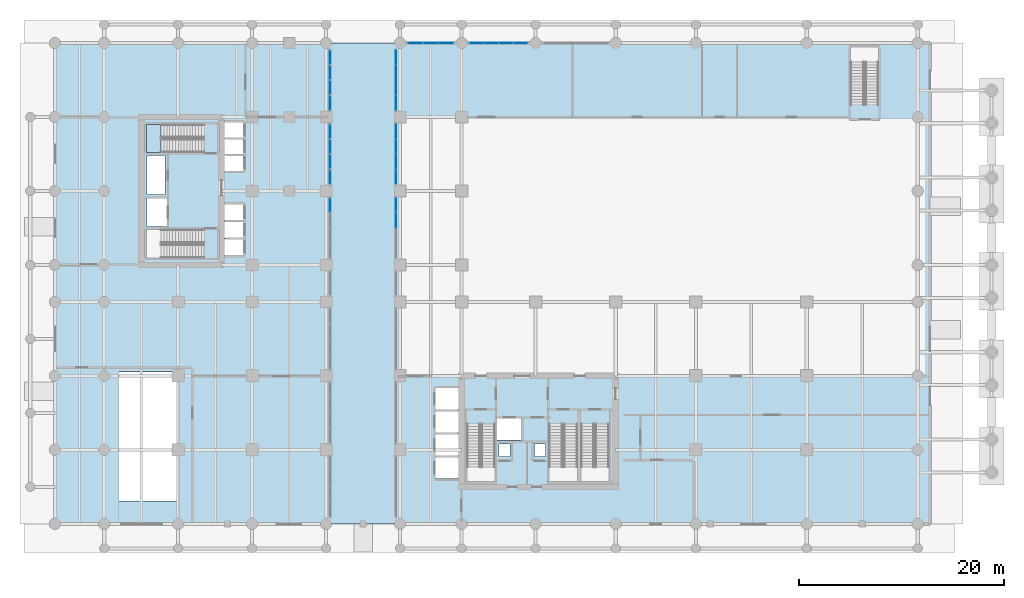
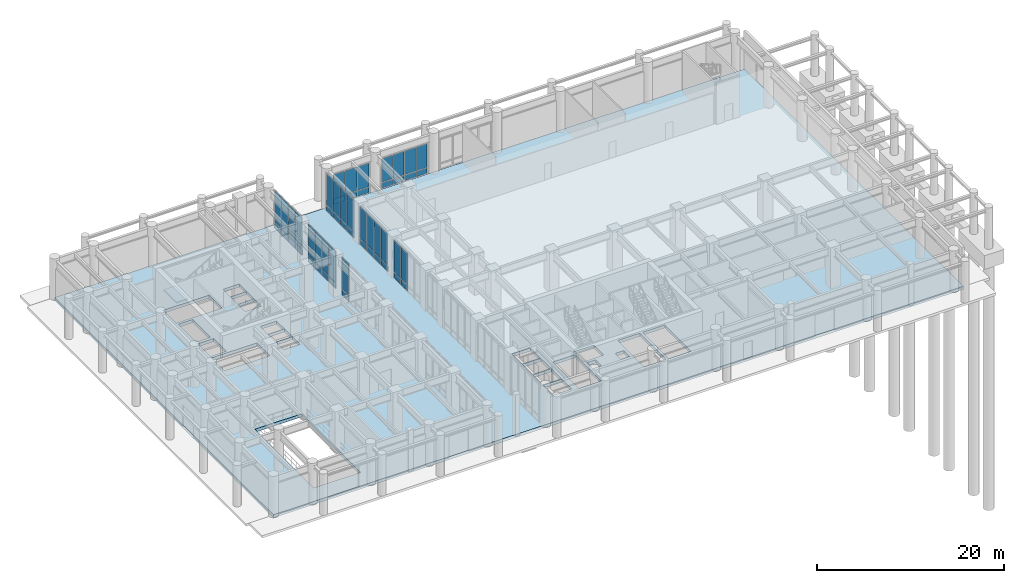
# One storey, part 12 of 23: 52 plates, 2 slabs, 9 elements without a shape of their own.
"""IFC4 building model written with IfcOpenShell, lengths in metres."""

from ifc_helpers import new_model, si_unit, derived_unit, direction, frame, origin, origin_2d, place, context, subcontext, project, spatial, polyline, rectangle, outline, extrude, source, transform, mapped, material, layer, layer_set, type_object, type_shapes, element, aggregate, save


model = new_model("IFC4")

# Units and contexts
model_context = context("Model", 3, precision=1e-05, world=origin(), true_north=direction((0.0, 1.0)))
body_context = subcontext(model_context, "Body", "Model", "MODEL_VIEW")
ifc_project = project(units=[si_unit("LENGTHUNIT", "METRE"), si_unit("AREAUNIT", "SQUARE_METRE"), si_unit("VOLUMEUNIT", "CUBIC_METRE"), si_unit("PLANEANGLEUNIT", "RADIAN"), si_unit("MASSUNIT", "GRAM", prefix="KILO"), si_unit("THERMODYNAMICTEMPERATUREUNIT", "KELVIN"), si_unit("POWERUNIT", "WATT"), derived_unit("THERMALTRANSMITTANCEUNIT", [(si_unit("POWERUNIT", "WATT"), 1), (si_unit("AREAUNIT", "SQUARE_METRE"), -1), (si_unit("THERMODYNAMICTEMPERATUREUNIT", "KELVIN"), -1)])], contexts=[model_context])

# Site, building, storey
site_placement = place(None, origin())
site = spatial("IfcSite", under=ifc_project, at=site_placement, CompositionType="ELEMENT")
building_placement = place(site_placement, origin())
building = spatial("IfcBuilding", under=site, at=building_placement, Name="Zahravan Archway Hotel and Residences", CompositionType="ELEMENT")
storey_placement = place(building_placement, origin())
storey = spatial("IfcBuildingStorey", under=building, at=storey_placement, Name="L00", CompositionType="ELEMENT", Elevation=0.0)

# Slab
ifc_material_1 = material(Name="Concrete C50/60", Category="concrete")
ifc_layer_1 = layer(ifc_material_1, 0.39990234375, Name="Concrete C50/60", Category="concrete")
ifc_layer_set_1 = layer_set([ifc_layer_1], Name="Concrete C50/60")
slab_type_1 = type_object("IfcSlabType", Name="SLB-FLR-400", PredefinedType="FLOOR", material=ifc_layer_set_1)
slab_1_placement = place(storey_placement, frame((0.0, 0.0, -0.39990234375)))
element("IfcSlab", 1, at=slab_1_placement, inside=storey, type_object=slab_type_1, Name="L00 Floor Slab MAIN", PredefinedType="FLOOR", context=body_context, shape_type="SweptSolid", body=[
    extrude(outline(polyline([(-4.800048828125, 0.0), (80.39990234375, 0.0), (80.39990234375, 46.800048828125), (-4.800048828125, 46.800048828125), (-4.800048828125, 0.0)]), holes=[polyline([(35.300048828125, 9.72998046875), (35.300048828125, 4.10009765625), (38.0400390625, 4.10009765625), (38.0400390625, 9.72998046875), (35.300048828125, 9.72998046875)]), polyline([(43.320068359375, 9.72998046875), (43.320068359375, 4.10009765625), (46.06005859375, 4.10009765625), (46.06005859375, 9.72998046875), (43.320068359375, 9.72998046875)]), polyline([(46.39990234375, 9.72998046875), (46.39990234375, 4.10009765625), (49.139892578125, 4.10009765625), (49.139892578125, 9.72998046875), (46.39990234375, 9.72998046875)]), polyline([(9.72998046875, 28.639892578125), (4.10009765625, 28.639892578125), (4.10009765625, 25.89990234375), (9.72998046875, 25.89990234375), (9.72998046875, 28.639892578125)]), polyline([(9.72998046875, 38.89990234375), (4.10009765625, 38.89990234375), (4.10009765625, 36.159912109375), (9.72998046875, 36.159912109375), (9.72998046875, 38.89990234375)]), polyline([(38.179931640625, 8.14990234375), (40.699951171875, 8.14990234375), (40.699951171875, 10.25), (38.179931640625, 10.25), (38.179931640625, 8.14990234375)]), polyline([(4.14990234375, 28.949951171875), (6.10009765625, 28.949951171875), (6.10009765625, 31.64990234375), (4.14990234375, 31.64990234375), (4.14990234375, 28.949951171875)]), polyline([(11.550048828125, 26.14990234375), (13.550048828125, 26.14990234375), (13.550048828125, 27.75), (11.550048828125, 27.75), (11.550048828125, 26.14990234375)]), polyline([(11.550048828125, 27.830078125), (13.550048828125, 27.830078125), (13.550048828125, 29.429931640625), (11.550048828125, 29.429931640625), (11.550048828125, 27.830078125)]), polyline([(11.550048828125, 29.510009765625), (13.550048828125, 29.510009765625), (13.550048828125, 31.110107421875), (11.550048828125, 31.110107421875), (11.550048828125, 29.510009765625)]), polyline([(11.550048828125, 34.35009765625), (13.550048828125, 34.35009765625), (13.550048828125, 35.889892578125), (11.550048828125, 35.889892578125), (11.550048828125, 34.35009765625)]), polyline([(11.550048828125, 35.949951171875), (13.550048828125, 35.949951171875), (13.550048828125, 37.489990234375), (11.550048828125, 37.489990234375), (11.550048828125, 35.949951171875)]), polyline([(11.550048828125, 37.550048828125), (13.550048828125, 37.550048828125), (13.550048828125, 39.090087890625), (11.550048828125, 39.090087890625), (11.550048828125, 37.550048828125)]), polyline([(32.25, 4.39990234375), (34.550048828125, 4.39990234375), (34.550048828125, 6.47998046875), (32.25, 6.47998046875), (32.25, 4.39990234375)]), polyline([(32.25, 6.639892578125), (34.550048828125, 6.639892578125), (34.550048828125, 8.719970703125), (32.25, 8.719970703125), (32.25, 6.639892578125)]), polyline([(32.25, 8.8798828125), (34.550048828125, 8.8798828125), (34.550048828125, 10.9599609375), (32.25, 10.9599609375), (32.25, 8.8798828125)]), polyline([(32.25, 11.1201171875), (34.550048828125, 11.1201171875), (34.550048828125, 13.199951171875), (32.25, 13.199951171875), (32.25, 11.1201171875)]), polyline([(1.449951171875, 2.199951171875), (7.25, 2.199951171875), (7.25, 14.800048828125), (1.449951171875, 14.800048828125), (1.449951171875, 2.199951171875)]), polyline([(38.419921875, 6.56005859375), (39.5, 6.56005859375), (39.5, 7.780029296875), (38.419921875, 7.780029296875), (38.419921875, 6.56005859375)]), polyline([(41.89990234375, 6.56005859375), (42.9599609375, 6.56005859375), (42.9599609375, 7.780029296875), (41.89990234375, 7.780029296875), (41.89990234375, 6.56005859375)]), polyline([(4.179931640625, 32.050048828125), (5.93994140625, 32.050048828125), (5.93994140625, 35.840087890625), (4.179931640625, 35.840087890625), (4.179931640625, 32.050048828125)])]), origin(), (0.0, 0.0, 1.0), 0.39990234375),
])

# Stair, slab
stair_type = type_object("IfcStairType", Name="STR-CORE-1300", PredefinedType="HALF_TURN_STAIR", material=ifc_material_1)
stair_placement = place(storey_placement, origin())
stair = element("IfcStair", 2, at=stair_placement, inside=storey, type_object=stair_type, Name="L00 Core B Exit Stair 2", PredefinedType="HALF_TURN_STAIR")
ifc_layer_2 = layer(ifc_material_1, 0.199951171875, Name="Concrete C50/60", Category="concrete")
ifc_layer_set_2 = layer_set([ifc_layer_2], Name="Concrete C50/60")
slab_type_2 = type_object("IfcSlabType", Name="SLB-LND-200", PredefinedType="LANDING", material=ifc_layer_set_2)
slab_2_placement = place(storey_placement, frame((0.0, 0.0, 2.5)))
slab_2 = element("IfcSlab", 3, at=slab_2_placement, type_object=slab_type_2, Name="ST-B2 landing 1", PredefinedType="LANDING", context=body_context, shape_type="SweptSolid", body=[
    extrude(outline(polyline([(5.530029296875, 38.89990234375), (4.10009765625, 38.89990234375), (4.10009765625, 36.159912109375), (5.530029296875, 36.159912109375), (5.530029296875, 38.89990234375)])), origin(), (0.0, 0.0, 1.0), 0.199951171875),
])
aggregate(stair, [slab_2])

# Curtain wall, plates
ifc_material_2 = material(Name="Bronze-Anodized Unitised Aluminium & Low-E Glass", Category="aluminium")
ifc_layer_3 = layer(ifc_material_2, 0.179931640625, Name="Bronze-Anodized Unitised Aluminium & Low-E Glass", Category="aluminium")
ifc_layer_set_3 = layer_set([ifc_layer_3], Name="Bronze-Anodized Unitised Aluminium & Low-E Glass")
curtain_wall_type = type_object("IfcCurtainWallType", Name="CW-POD-ARCH", PredefinedType="NOTDEFINED", material=ifc_layer_set_3)
curtain_wall_1_placement = place(storey_placement, origin())
curtain_wall_1 = element("IfcCurtainWall", 4, at=curtain_wall_1_placement, inside=storey, type_object=curtain_wall_type, Name="L00 Curtain Wall CW-POD-L00-1", PredefinedType="NOTDEFINED")
ifc_material_3 = material(Name="Insulated Terracotta Spandrel Panel", Category="masonry")
ifc_layer_4 = layer(ifc_material_3, 0.0400390625, Name="Insulated Terracotta Spandrel Panel", Category="masonry")
ifc_layer_set_4 = layer_set([ifc_layer_4], Name="Insulated Terracotta Spandrel Panel")
plate_type_1 = type_object("IfcPlateType", Name="CWP-SPN-40", PredefinedType="SHEET", material=ifc_layer_set_4)
shared_shape_1 = source(origin(), body_context, "Body", "SweptSolid", [
    extrude(rectangle(XDim=1.413330078125, YDim=0.0400390625, at=origin_2d()), origin(), (0.0, 0.0, 1.0), 0.7099609375),
])
type_shapes(plate_type_1, [shared_shape_1])
plate_1_placement = place(storey_placement, frame((30.306640625, 46.800048828125, 0.10009765625), z_axis=(0.0, 0.0, 1.0), x_axis=(1.0, 0.0, 0.0)))
plate_1 = element("IfcPlate", 5, at=plate_1_placement, type_object=plate_type_1, Name="CW-POD-L00-1 Spandrel Panel 0", PredefinedType="SHEET", context=body_context, shape_type="MappedRepresentation", body=[
    mapped(shared_shape_1, transform((0.0, 0.0, 0.0), scale=1.0)),
])
plate_2_placement = place(storey_placement, frame((31.800048828125, 46.800048828125, 0.10009765625), z_axis=(0.0, 0.0, 1.0), x_axis=(1.0, 0.0, 0.0)))
plate_2 = element("IfcPlate", 6, at=plate_2_placement, type_object=plate_type_1, Name="CW-POD-L00-1 Spandrel Panel 1", PredefinedType="SHEET", context=body_context, shape_type="MappedRepresentation", body=[
    mapped(shared_shape_1, transform((0.0, 0.0, 0.0), scale=1.0)),
])
plate_3_placement = place(storey_placement, frame((33.29345703125, 46.800048828125, 0.10009765625), z_axis=(0.0, 0.0, 1.0), x_axis=(1.0, 0.0, 0.0)))
plate_3 = element("IfcPlate", 7, at=plate_3_placement, type_object=plate_type_1, Name="CW-POD-L00-1 Spandrel Panel 2", PredefinedType="SHEET", context=body_context, shape_type="MappedRepresentation", body=[
    mapped(shared_shape_1, transform((0.0, 0.0, 0.0), scale=1.0)),
])
ifc_material_4 = material(Name="Double-Silver Low-E Insulated Vision Glass", Category="glass")
ifc_layer_5 = layer(ifc_material_4, 0.028076171875, Name="Double-Silver Low-E Insulated Vision Glass", Category="glass")
ifc_layer_set_5 = layer_set([ifc_layer_5], Name="Double-Silver Low-E Insulated Vision Glass")
plate_type_2 = type_object("IfcPlateType", Name="CWP-GLZ-28", PredefinedType="CURTAIN_PANEL", material=ifc_layer_set_5)
shared_shape_2 = source(origin(), body_context, "Body", "SweptSolid", [
    extrude(rectangle(XDim=1.413330078125, YDim=0.028076171875, at=origin_2d()), origin(), (0.0, 0.0, 1.0), 3.094970703125),
])
type_shapes(plate_type_2, [shared_shape_2])
plate_4_placement = place(storey_placement, frame((30.306640625, 46.800048828125, 0.89013671875), z_axis=(0.0, 0.0, 1.0), x_axis=(1.0, 0.0, 0.0)))
plate_4 = element("IfcPlate", 8, at=plate_4_placement, type_object=plate_type_2, Name="CW-POD-L00-1 Low-E Vision Panel 0", PredefinedType="CURTAIN_PANEL", context=body_context, shape_type="MappedRepresentation", body=[
    mapped(shared_shape_2, transform((0.0, 0.0, 0.0), scale=1.0)),
])
plate_5_placement = place(storey_placement, frame((31.800048828125, 46.800048828125, 0.89013671875), z_axis=(0.0, 0.0, 1.0), x_axis=(1.0, 0.0, 0.0)))
plate_5 = element("IfcPlate", 9, at=plate_5_placement, type_object=plate_type_2, Name="CW-POD-L00-1 Low-E Vision Panel 1", PredefinedType="CURTAIN_PANEL", context=body_context, shape_type="MappedRepresentation", body=[
    mapped(shared_shape_2, transform((0.0, 0.0, 0.0), scale=1.0)),
])
plate_6_placement = place(storey_placement, frame((33.29345703125, 46.800048828125, 0.89013671875), z_axis=(0.0, 0.0, 1.0), x_axis=(1.0, 0.0, 0.0)))
plate_6 = element("IfcPlate", 10, at=plate_6_placement, type_object=plate_type_2, Name="CW-POD-L00-1 Low-E Vision Panel 2", PredefinedType="CURTAIN_PANEL", context=body_context, shape_type="MappedRepresentation", body=[
    mapped(shared_shape_2, transform((0.0, 0.0, 0.0), scale=1.0)),
])
aggregate(curtain_wall_1, [plate_1, plate_4, plate_2, plate_5, plate_3, plate_6])

curtain_wall_2_placement = place(storey_placement, origin())
curtain_wall_2 = element("IfcCurtainWall", 11, at=curtain_wall_2_placement, inside=storey, type_object=curtain_wall_type, Name="L00 Curtain Wall CW-POD-L00-2", PredefinedType="NOTDEFINED")
shared_shape_3 = source(origin(), body_context, "Body", "SweptSolid", [
    extrude(rectangle(XDim=1.340087890625, YDim=0.0400390625, at=origin_2d()), origin(), (0.0, 0.0, 1.0), 0.7099609375),
])
plate_7_placement = place(storey_placement, frame((36.27001953125, 46.800048828125, 0.10009765625), z_axis=(0.0, 0.0, 1.0), x_axis=(1.0, 0.0, 0.0)))
plate_7 = element("IfcPlate", 12, at=plate_7_placement, type_object=plate_type_1, Name="CW-POD-L00-2 Spandrel Panel 0", PredefinedType="SHEET", context=body_context, shape_type="MappedRepresentation", body=[
    mapped(shared_shape_3, transform((0.0, 0.0, 0.0), scale=1.0)),
])
plate_8_placement = place(storey_placement, frame((37.68994140625, 46.800048828125, 0.10009765625), z_axis=(0.0, 0.0, 1.0), x_axis=(1.0, 0.0, 0.0)))
plate_8 = element("IfcPlate", 13, at=plate_8_placement, type_object=plate_type_1, Name="CW-POD-L00-2 Spandrel Panel 1", PredefinedType="SHEET", context=body_context, shape_type="MappedRepresentation", body=[
    mapped(shared_shape_3, transform((0.0, 0.0, 0.0), scale=1.0)),
])
plate_9_placement = place(storey_placement, frame((39.110107421875, 46.800048828125, 0.10009765625), z_axis=(0.0, 0.0, 1.0), x_axis=(1.0, 0.0, 0.0)))
plate_9 = element("IfcPlate", 14, at=plate_9_placement, type_object=plate_type_1, Name="CW-POD-L00-2 Spandrel Panel 2", PredefinedType="SHEET", context=body_context, shape_type="MappedRepresentation", body=[
    mapped(shared_shape_3, transform((0.0, 0.0, 0.0), scale=1.0)),
])
plate_10_placement = place(storey_placement, frame((40.530029296875, 46.800048828125, 0.10009765625), z_axis=(0.0, 0.0, 1.0), x_axis=(1.0, 0.0, 0.0)))
plate_10 = element("IfcPlate", 15, at=plate_10_placement, type_object=plate_type_1, Name="CW-POD-L00-2 Spandrel Panel 3", PredefinedType="SHEET", context=body_context, shape_type="MappedRepresentation", body=[
    mapped(shared_shape_3, transform((0.0, 0.0, 0.0), scale=1.0)),
])
shared_shape_4 = source(origin(), body_context, "Body", "SweptSolid", [
    extrude(rectangle(XDim=1.340087890625, YDim=0.028076171875, at=origin_2d()), origin(), (0.0, 0.0, 1.0), 3.094970703125),
])
plate_11_placement = place(storey_placement, frame((36.27001953125, 46.800048828125, 0.89013671875), z_axis=(0.0, 0.0, 1.0), x_axis=(1.0, 0.0, 0.0)))
plate_11 = element("IfcPlate", 16, at=plate_11_placement, type_object=plate_type_2, Name="CW-POD-L00-2 Low-E Vision Panel 0", PredefinedType="CURTAIN_PANEL", context=body_context, shape_type="MappedRepresentation", body=[
    mapped(shared_shape_4, transform((0.0, 0.0, 0.0), scale=1.0)),
])
plate_12_placement = place(storey_placement, frame((37.68994140625, 46.800048828125, 0.89013671875), z_axis=(0.0, 0.0, 1.0), x_axis=(1.0, 0.0, 0.0)))
plate_12 = element("IfcPlate", 17, at=plate_12_placement, type_object=plate_type_2, Name="CW-POD-L00-2 Low-E Vision Panel 1", PredefinedType="CURTAIN_PANEL", context=body_context, shape_type="MappedRepresentation", body=[
    mapped(shared_shape_4, transform((0.0, 0.0, 0.0), scale=1.0)),
])
plate_13_placement = place(storey_placement, frame((39.110107421875, 46.800048828125, 0.89013671875), z_axis=(0.0, 0.0, 1.0), x_axis=(1.0, 0.0, 0.0)))
plate_13 = element("IfcPlate", 18, at=plate_13_placement, type_object=plate_type_2, Name="CW-POD-L00-2 Low-E Vision Panel 2", PredefinedType="CURTAIN_PANEL", context=body_context, shape_type="MappedRepresentation", body=[
    mapped(shared_shape_4, transform((0.0, 0.0, 0.0), scale=1.0)),
])
plate_14_placement = place(storey_placement, frame((40.530029296875, 46.800048828125, 0.89013671875), z_axis=(0.0, 0.0, 1.0), x_axis=(1.0, 0.0, 0.0)))
plate_14 = element("IfcPlate", 19, at=plate_14_placement, type_object=plate_type_2, Name="CW-POD-L00-2 Low-E Vision Panel 3", PredefinedType="CURTAIN_PANEL", context=body_context, shape_type="MappedRepresentation", body=[
    mapped(shared_shape_4, transform((0.0, 0.0, 0.0), scale=1.0)),
])
aggregate(curtain_wall_2, [plate_7, plate_11, plate_8, plate_12, plate_9, plate_13, plate_10, plate_14])

# Curtain wall, plate
curtain_wall_3_placement = place(storey_placement, origin())
curtain_wall_3 = element("IfcCurtainWall", 20, at=curtain_wall_3_placement, inside=storey, type_object=curtain_wall_type, Name="L00 Curtain Wall CW-PORTW-L00-5", PredefinedType="NOTDEFINED")
shared_shape_5 = source(origin(), body_context, "Body", "SweptSolid", [
    extrude(rectangle(XDim=1.3974609375, YDim=0.0400390625, at=origin_2d()), origin(), (0.0, 0.0, 1.0), 0.7099609375),
])
plate_15_placement = place(storey_placement, frame((22.0, 31.01611328125, 0.10009765625), z_axis=(0.0, 0.0, 1.0), x_axis=(0.0, 1.0, 0.0)))
plate_15 = element("IfcPlate", 21, at=plate_15_placement, type_object=plate_type_1, Name="CW-PORTW-L00-5 Spandrel Panel 3", PredefinedType="SHEET", context=body_context, shape_type="MappedRepresentation", body=[
    mapped(shared_shape_5, transform((0.0, 0.0, 0.0), scale=1.0)),
])

# Curtain wall, plates
curtain_wall_4_placement = place(storey_placement, origin())
curtain_wall_4 = element("IfcCurtainWall", 22, at=curtain_wall_4_placement, inside=storey, type_object=curtain_wall_type, Name="L00 Curtain Wall CW-PORTW-L00-6", PredefinedType="NOTDEFINED")
plate_16_placement = place(storey_placement, frame((22.0, 33.783935546875, 0.10009765625), z_axis=(0.0, 0.0, 1.0), x_axis=(0.0, 1.0, 0.0)))
plate_16 = element("IfcPlate", 23, at=plate_16_placement, type_object=plate_type_1, Name="CW-PORTW-L00-6 Spandrel Panel 0", PredefinedType="SHEET", context=body_context, shape_type="MappedRepresentation", body=[
    mapped(shared_shape_5, transform((0.0, 0.0, 0.0), scale=1.0)),
])
plate_17_placement = place(storey_placement, frame((22.0, 35.26123046875, 0.10009765625), z_axis=(0.0, 0.0, 1.0), x_axis=(0.0, 1.0, 0.0)))
plate_17 = element("IfcPlate", 24, at=plate_17_placement, type_object=plate_type_1, Name="CW-PORTW-L00-6 Spandrel Panel 1", PredefinedType="SHEET", context=body_context, shape_type="MappedRepresentation", body=[
    mapped(shared_shape_5, transform((0.0, 0.0, 0.0), scale=1.0)),
])
plate_18_placement = place(storey_placement, frame((22.0, 36.73876953125, 0.10009765625), z_axis=(0.0, 0.0, 1.0), x_axis=(0.0, 1.0, 0.0)))
plate_18 = element("IfcPlate", 25, at=plate_18_placement, type_object=plate_type_1, Name="CW-PORTW-L00-6 Spandrel Panel 2", PredefinedType="SHEET", context=body_context, shape_type="MappedRepresentation", body=[
    mapped(shared_shape_5, transform((0.0, 0.0, 0.0), scale=1.0)),
])
plate_19_placement = place(storey_placement, frame((22.0, 38.216064453125, 0.10009765625), z_axis=(0.0, 0.0, 1.0), x_axis=(0.0, 1.0, 0.0)))
plate_19 = element("IfcPlate", 26, at=plate_19_placement, type_object=plate_type_1, Name="CW-PORTW-L00-6 Spandrel Panel 3", PredefinedType="SHEET", context=body_context, shape_type="MappedRepresentation", body=[
    mapped(shared_shape_5, transform((0.0, 0.0, 0.0), scale=1.0)),
])

curtain_wall_5_placement = place(storey_placement, origin())
curtain_wall_5 = element("IfcCurtainWall", 27, at=curtain_wall_5_placement, inside=storey, type_object=curtain_wall_type, Name="L00 Curtain Wall CW-PORTW-L00-7", PredefinedType="NOTDEFINED")
plate_20_placement = place(storey_placement, frame((22.0, 40.98388671875, 0.10009765625), z_axis=(0.0, 0.0, 1.0), x_axis=(0.0, 1.0, 0.0)))
plate_20 = element("IfcPlate", 28, at=plate_20_placement, type_object=plate_type_1, Name="CW-PORTW-L00-7 Spandrel Panel 0", PredefinedType="SHEET", context=body_context, shape_type="MappedRepresentation", body=[
    mapped(shared_shape_5, transform((0.0, 0.0, 0.0), scale=1.0)),
])
plate_21_placement = place(storey_placement, frame((22.0, 42.461181640625, 0.10009765625), z_axis=(0.0, 0.0, 1.0), x_axis=(0.0, 1.0, 0.0)))
plate_21 = element("IfcPlate", 29, at=plate_21_placement, type_object=plate_type_1, Name="CW-PORTW-L00-7 Spandrel Panel 1", PredefinedType="SHEET", context=body_context, shape_type="MappedRepresentation", body=[
    mapped(shared_shape_5, transform((0.0, 0.0, 0.0), scale=1.0)),
])
plate_22_placement = place(storey_placement, frame((22.0, 43.938720703125, 0.10009765625), z_axis=(0.0, 0.0, 1.0), x_axis=(0.0, 1.0, 0.0)))
plate_22 = element("IfcPlate", 30, at=plate_22_placement, type_object=plate_type_1, Name="CW-PORTW-L00-7 Spandrel Panel 2", PredefinedType="SHEET", context=body_context, shape_type="MappedRepresentation", body=[
    mapped(shared_shape_5, transform((0.0, 0.0, 0.0), scale=1.0)),
])
plate_23_placement = place(storey_placement, frame((22.0, 45.416015625, 0.10009765625), z_axis=(0.0, 0.0, 1.0), x_axis=(0.0, 1.0, 0.0)))
plate_23 = element("IfcPlate", 31, at=plate_23_placement, type_object=plate_type_1, Name="CW-PORTW-L00-7 Spandrel Panel 3", PredefinedType="SHEET", context=body_context, shape_type="MappedRepresentation", body=[
    mapped(shared_shape_5, transform((0.0, 0.0, 0.0), scale=1.0)),
])

curtain_wall_6_placement = place(storey_placement, origin())
curtain_wall_6 = element("IfcCurtainWall", 32, at=curtain_wall_6_placement, inside=storey, type_object=curtain_wall_type, Name="L00 Curtain Wall CW-PORTE-L00-5", PredefinedType="NOTDEFINED")
plate_24_placement = place(storey_placement, frame((28.39990234375, 29.538818359375, 0.10009765625), z_axis=(0.0, 0.0, 1.0), x_axis=(0.0, 1.0, 0.0)))
plate_24 = element("IfcPlate", 33, at=plate_24_placement, type_object=plate_type_1, Name="CW-PORTE-L00-5 Spandrel Panel 2", PredefinedType="SHEET", context=body_context, shape_type="MappedRepresentation", body=[
    mapped(shared_shape_5, transform((0.0, 0.0, 0.0), scale=1.0)),
])
plate_25_placement = place(storey_placement, frame((28.39990234375, 31.01611328125, 0.10009765625), z_axis=(0.0, 0.0, 1.0), x_axis=(0.0, 1.0, 0.0)))
plate_25 = element("IfcPlate", 34, at=plate_25_placement, type_object=plate_type_1, Name="CW-PORTE-L00-5 Spandrel Panel 3", PredefinedType="SHEET", context=body_context, shape_type="MappedRepresentation", body=[
    mapped(shared_shape_5, transform((0.0, 0.0, 0.0), scale=1.0)),
])

curtain_wall_7_placement = place(storey_placement, origin())
curtain_wall_7 = element("IfcCurtainWall", 35, at=curtain_wall_7_placement, inside=storey, type_object=curtain_wall_type, Name="L00 Curtain Wall CW-PORTE-L00-6", PredefinedType="NOTDEFINED")
plate_26_placement = place(storey_placement, frame((28.39990234375, 33.783935546875, 0.10009765625), z_axis=(0.0, 0.0, 1.0), x_axis=(0.0, 1.0, 0.0)))
plate_26 = element("IfcPlate", 36, at=plate_26_placement, type_object=plate_type_1, Name="CW-PORTE-L00-6 Spandrel Panel 0", PredefinedType="SHEET", context=body_context, shape_type="MappedRepresentation", body=[
    mapped(shared_shape_5, transform((0.0, 0.0, 0.0), scale=1.0)),
])
plate_27_placement = place(storey_placement, frame((28.39990234375, 35.26123046875, 0.10009765625), z_axis=(0.0, 0.0, 1.0), x_axis=(0.0, 1.0, 0.0)))
plate_27 = element("IfcPlate", 37, at=plate_27_placement, type_object=plate_type_1, Name="CW-PORTE-L00-6 Spandrel Panel 1", PredefinedType="SHEET", context=body_context, shape_type="MappedRepresentation", body=[
    mapped(shared_shape_5, transform((0.0, 0.0, 0.0), scale=1.0)),
])
plate_28_placement = place(storey_placement, frame((28.39990234375, 36.73876953125, 0.10009765625), z_axis=(0.0, 0.0, 1.0), x_axis=(0.0, 1.0, 0.0)))
plate_28 = element("IfcPlate", 38, at=plate_28_placement, type_object=plate_type_1, Name="CW-PORTE-L00-6 Spandrel Panel 2", PredefinedType="SHEET", context=body_context, shape_type="MappedRepresentation", body=[
    mapped(shared_shape_5, transform((0.0, 0.0, 0.0), scale=1.0)),
])
plate_29_placement = place(storey_placement, frame((28.39990234375, 38.216064453125, 0.10009765625), z_axis=(0.0, 0.0, 1.0), x_axis=(0.0, 1.0, 0.0)))
plate_29 = element("IfcPlate", 39, at=plate_29_placement, type_object=plate_type_1, Name="CW-PORTE-L00-6 Spandrel Panel 3", PredefinedType="SHEET", context=body_context, shape_type="MappedRepresentation", body=[
    mapped(shared_shape_5, transform((0.0, 0.0, 0.0), scale=1.0)),
])

curtain_wall_8_placement = place(storey_placement, origin())
curtain_wall_8 = element("IfcCurtainWall", 40, at=curtain_wall_8_placement, inside=storey, type_object=curtain_wall_type, Name="L00 Curtain Wall CW-PORTE-L00-7", PredefinedType="NOTDEFINED")
plate_30_placement = place(storey_placement, frame((28.39990234375, 40.98388671875, 0.10009765625), z_axis=(0.0, 0.0, 1.0), x_axis=(0.0, 1.0, 0.0)))
plate_30 = element("IfcPlate", 41, at=plate_30_placement, type_object=plate_type_1, Name="CW-PORTE-L00-7 Spandrel Panel 0", PredefinedType="SHEET", context=body_context, shape_type="MappedRepresentation", body=[
    mapped(shared_shape_5, transform((0.0, 0.0, 0.0), scale=1.0)),
])
plate_31_placement = place(storey_placement, frame((28.39990234375, 42.461181640625, 0.10009765625), z_axis=(0.0, 0.0, 1.0), x_axis=(0.0, 1.0, 0.0)))
plate_31 = element("IfcPlate", 42, at=plate_31_placement, type_object=plate_type_1, Name="CW-PORTE-L00-7 Spandrel Panel 1", PredefinedType="SHEET", context=body_context, shape_type="MappedRepresentation", body=[
    mapped(shared_shape_5, transform((0.0, 0.0, 0.0), scale=1.0)),
])
plate_32_placement = place(storey_placement, frame((28.39990234375, 43.938720703125, 0.10009765625), z_axis=(0.0, 0.0, 1.0), x_axis=(0.0, 1.0, 0.0)))
plate_32 = element("IfcPlate", 43, at=plate_32_placement, type_object=plate_type_1, Name="CW-PORTE-L00-7 Spandrel Panel 2", PredefinedType="SHEET", context=body_context, shape_type="MappedRepresentation", body=[
    mapped(shared_shape_5, transform((0.0, 0.0, 0.0), scale=1.0)),
])
plate_33_placement = place(storey_placement, frame((28.39990234375, 45.416015625, 0.10009765625), z_axis=(0.0, 0.0, 1.0), x_axis=(0.0, 1.0, 0.0)))
plate_33 = element("IfcPlate", 44, at=plate_33_placement, type_object=plate_type_1, Name="CW-PORTE-L00-7 Spandrel Panel 3", PredefinedType="SHEET", context=body_context, shape_type="MappedRepresentation", body=[
    mapped(shared_shape_5, transform((0.0, 0.0, 0.0), scale=1.0)),
])

# Plate
shared_shape_6 = source(origin(), body_context, "Body", "SweptSolid", [
    extrude(rectangle(XDim=1.3974609375, YDim=0.028076171875, at=origin_2d()), origin(), (0.0, 0.0, 1.0), 4.110107421875),
])
plate_34_placement = place(storey_placement, frame((22.0, 31.01611328125, 0.89013671875), z_axis=(0.0, 0.0, 1.0), x_axis=(0.0, 1.0, 0.0)))
plate_34 = element("IfcPlate", 45, at=plate_34_placement, type_object=plate_type_2, Name="CW-PORTW-L00-5 Low-E Vision Panel 3", PredefinedType="CURTAIN_PANEL", context=body_context, shape_type="MappedRepresentation", body=[
    mapped(shared_shape_6, transform((0.0, 0.0, 0.0), scale=1.0)),
])

aggregate(curtain_wall_3, [plate_15, plate_34])

plate_35_placement = place(storey_placement, frame((22.0, 33.783935546875, 0.89013671875), z_axis=(0.0, 0.0, 1.0), x_axis=(0.0, 1.0, 0.0)))
plate_35 = element("IfcPlate", 46, at=plate_35_placement, type_object=plate_type_2, Name="CW-PORTW-L00-6 Low-E Vision Panel 0", PredefinedType="CURTAIN_PANEL", context=body_context, shape_type="MappedRepresentation", body=[
    mapped(shared_shape_6, transform((0.0, 0.0, 0.0), scale=1.0)),
])

plate_36_placement = place(storey_placement, frame((22.0, 35.26123046875, 0.89013671875), z_axis=(0.0, 0.0, 1.0), x_axis=(0.0, 1.0, 0.0)))
plate_36 = element("IfcPlate", 47, at=plate_36_placement, type_object=plate_type_2, Name="CW-PORTW-L00-6 Low-E Vision Panel 1", PredefinedType="CURTAIN_PANEL", context=body_context, shape_type="MappedRepresentation", body=[
    mapped(shared_shape_6, transform((0.0, 0.0, 0.0), scale=1.0)),
])

plate_37_placement = place(storey_placement, frame((22.0, 36.73876953125, 0.89013671875), z_axis=(0.0, 0.0, 1.0), x_axis=(0.0, 1.0, 0.0)))
plate_37 = element("IfcPlate", 48, at=plate_37_placement, type_object=plate_type_2, Name="CW-PORTW-L00-6 Low-E Vision Panel 2", PredefinedType="CURTAIN_PANEL", context=body_context, shape_type="MappedRepresentation", body=[
    mapped(shared_shape_6, transform((0.0, 0.0, 0.0), scale=1.0)),
])

plate_38_placement = place(storey_placement, frame((22.0, 38.216064453125, 0.89013671875), z_axis=(0.0, 0.0, 1.0), x_axis=(0.0, 1.0, 0.0)))
plate_38 = element("IfcPlate", 49, at=plate_38_placement, type_object=plate_type_2, Name="CW-PORTW-L00-6 Low-E Vision Panel 3", PredefinedType="CURTAIN_PANEL", context=body_context, shape_type="MappedRepresentation", body=[
    mapped(shared_shape_6, transform((0.0, 0.0, 0.0), scale=1.0)),
])

aggregate(curtain_wall_4, [plate_16, plate_35, plate_17, plate_36, plate_18, plate_37, plate_19, plate_38])

plate_39_placement = place(storey_placement, frame((22.0, 40.98388671875, 0.89013671875), z_axis=(0.0, 0.0, 1.0), x_axis=(0.0, 1.0, 0.0)))
plate_39 = element("IfcPlate", 50, at=plate_39_placement, type_object=plate_type_2, Name="CW-PORTW-L00-7 Low-E Vision Panel 0", PredefinedType="CURTAIN_PANEL", context=body_context, shape_type="MappedRepresentation", body=[
    mapped(shared_shape_6, transform((0.0, 0.0, 0.0), scale=1.0)),
])

plate_40_placement = place(storey_placement, frame((22.0, 42.461181640625, 0.89013671875), z_axis=(0.0, 0.0, 1.0), x_axis=(0.0, 1.0, 0.0)))
plate_40 = element("IfcPlate", 51, at=plate_40_placement, type_object=plate_type_2, Name="CW-PORTW-L00-7 Low-E Vision Panel 1", PredefinedType="CURTAIN_PANEL", context=body_context, shape_type="MappedRepresentation", body=[
    mapped(shared_shape_6, transform((0.0, 0.0, 0.0), scale=1.0)),
])

plate_41_placement = place(storey_placement, frame((22.0, 43.938720703125, 0.89013671875), z_axis=(0.0, 0.0, 1.0), x_axis=(0.0, 1.0, 0.0)))
plate_41 = element("IfcPlate", 52, at=plate_41_placement, type_object=plate_type_2, Name="CW-PORTW-L00-7 Low-E Vision Panel 2", PredefinedType="CURTAIN_PANEL", context=body_context, shape_type="MappedRepresentation", body=[
    mapped(shared_shape_6, transform((0.0, 0.0, 0.0), scale=1.0)),
])

plate_42_placement = place(storey_placement, frame((22.0, 45.416015625, 0.89013671875), z_axis=(0.0, 0.0, 1.0), x_axis=(0.0, 1.0, 0.0)))
plate_42 = element("IfcPlate", 53, at=plate_42_placement, type_object=plate_type_2, Name="CW-PORTW-L00-7 Low-E Vision Panel 3", PredefinedType="CURTAIN_PANEL", context=body_context, shape_type="MappedRepresentation", body=[
    mapped(shared_shape_6, transform((0.0, 0.0, 0.0), scale=1.0)),
])

aggregate(curtain_wall_5, [plate_20, plate_39, plate_21, plate_40, plate_22, plate_41, plate_23, plate_42])

plate_43_placement = place(storey_placement, frame((28.39990234375, 29.538818359375, 0.89013671875), z_axis=(0.0, 0.0, 1.0), x_axis=(0.0, 1.0, 0.0)))
plate_43 = element("IfcPlate", 54, at=plate_43_placement, type_object=plate_type_2, Name="CW-PORTE-L00-5 Low-E Vision Panel 2", PredefinedType="CURTAIN_PANEL", context=body_context, shape_type="MappedRepresentation", body=[
    mapped(shared_shape_6, transform((0.0, 0.0, 0.0), scale=1.0)),
])

plate_44_placement = place(storey_placement, frame((28.39990234375, 31.01611328125, 0.89013671875), z_axis=(0.0, 0.0, 1.0), x_axis=(0.0, 1.0, 0.0)))
plate_44 = element("IfcPlate", 55, at=plate_44_placement, type_object=plate_type_2, Name="CW-PORTE-L00-5 Low-E Vision Panel 3", PredefinedType="CURTAIN_PANEL", context=body_context, shape_type="MappedRepresentation", body=[
    mapped(shared_shape_6, transform((0.0, 0.0, 0.0), scale=1.0)),
])

aggregate(curtain_wall_6, [plate_24, plate_43, plate_25, plate_44])

plate_45_placement = place(storey_placement, frame((28.39990234375, 33.783935546875, 0.89013671875), z_axis=(0.0, 0.0, 1.0), x_axis=(0.0, 1.0, 0.0)))
plate_45 = element("IfcPlate", 56, at=plate_45_placement, type_object=plate_type_2, Name="CW-PORTE-L00-6 Low-E Vision Panel 0", PredefinedType="CURTAIN_PANEL", context=body_context, shape_type="MappedRepresentation", body=[
    mapped(shared_shape_6, transform((0.0, 0.0, 0.0), scale=1.0)),
])

plate_46_placement = place(storey_placement, frame((28.39990234375, 35.26123046875, 0.89013671875), z_axis=(0.0, 0.0, 1.0), x_axis=(0.0, 1.0, 0.0)))
plate_46 = element("IfcPlate", 57, at=plate_46_placement, type_object=plate_type_2, Name="CW-PORTE-L00-6 Low-E Vision Panel 1", PredefinedType="CURTAIN_PANEL", context=body_context, shape_type="MappedRepresentation", body=[
    mapped(shared_shape_6, transform((0.0, 0.0, 0.0), scale=1.0)),
])

plate_47_placement = place(storey_placement, frame((28.39990234375, 36.73876953125, 0.89013671875), z_axis=(0.0, 0.0, 1.0), x_axis=(0.0, 1.0, 0.0)))
plate_47 = element("IfcPlate", 58, at=plate_47_placement, type_object=plate_type_2, Name="CW-PORTE-L00-6 Low-E Vision Panel 2", PredefinedType="CURTAIN_PANEL", context=body_context, shape_type="MappedRepresentation", body=[
    mapped(shared_shape_6, transform((0.0, 0.0, 0.0), scale=1.0)),
])

plate_48_placement = place(storey_placement, frame((28.39990234375, 38.216064453125, 0.89013671875), z_axis=(0.0, 0.0, 1.0), x_axis=(0.0, 1.0, 0.0)))
plate_48 = element("IfcPlate", 59, at=plate_48_placement, type_object=plate_type_2, Name="CW-PORTE-L00-6 Low-E Vision Panel 3", PredefinedType="CURTAIN_PANEL", context=body_context, shape_type="MappedRepresentation", body=[
    mapped(shared_shape_6, transform((0.0, 0.0, 0.0), scale=1.0)),
])

aggregate(curtain_wall_7, [plate_26, plate_45, plate_27, plate_46, plate_28, plate_47, plate_29, plate_48])

plate_49_placement = place(storey_placement, frame((28.39990234375, 40.98388671875, 0.89013671875), z_axis=(0.0, 0.0, 1.0), x_axis=(0.0, 1.0, 0.0)))
plate_49 = element("IfcPlate", 60, at=plate_49_placement, type_object=plate_type_2, Name="CW-PORTE-L00-7 Low-E Vision Panel 0", PredefinedType="CURTAIN_PANEL", context=body_context, shape_type="MappedRepresentation", body=[
    mapped(shared_shape_6, transform((0.0, 0.0, 0.0), scale=1.0)),
])

plate_50_placement = place(storey_placement, frame((28.39990234375, 42.461181640625, 0.89013671875), z_axis=(0.0, 0.0, 1.0), x_axis=(0.0, 1.0, 0.0)))
plate_50 = element("IfcPlate", 61, at=plate_50_placement, type_object=plate_type_2, Name="CW-PORTE-L00-7 Low-E Vision Panel 1", PredefinedType="CURTAIN_PANEL", context=body_context, shape_type="MappedRepresentation", body=[
    mapped(shared_shape_6, transform((0.0, 0.0, 0.0), scale=1.0)),
])

plate_51_placement = place(storey_placement, frame((28.39990234375, 43.938720703125, 0.89013671875), z_axis=(0.0, 0.0, 1.0), x_axis=(0.0, 1.0, 0.0)))
plate_51 = element("IfcPlate", 62, at=plate_51_placement, type_object=plate_type_2, Name="CW-PORTE-L00-7 Low-E Vision Panel 2", PredefinedType="CURTAIN_PANEL", context=body_context, shape_type="MappedRepresentation", body=[
    mapped(shared_shape_6, transform((0.0, 0.0, 0.0), scale=1.0)),
])

plate_52_placement = place(storey_placement, frame((28.39990234375, 45.416015625, 0.89013671875), z_axis=(0.0, 0.0, 1.0), x_axis=(0.0, 1.0, 0.0)))
plate_52 = element("IfcPlate", 63, at=plate_52_placement, type_object=plate_type_2, Name="CW-PORTE-L00-7 Low-E Vision Panel 3", PredefinedType="CURTAIN_PANEL", context=body_context, shape_type="MappedRepresentation", body=[
    mapped(shared_shape_6, transform((0.0, 0.0, 0.0), scale=1.0)),
])

aggregate(curtain_wall_8, [plate_30, plate_49, plate_31, plate_50, plate_32, plate_51, plate_33, plate_52])

save(model, "model.ifc")
